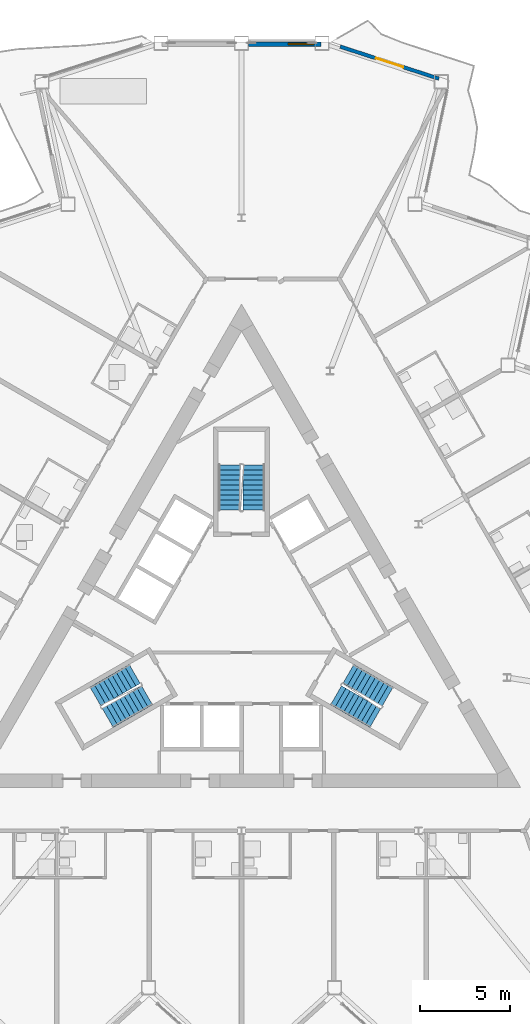
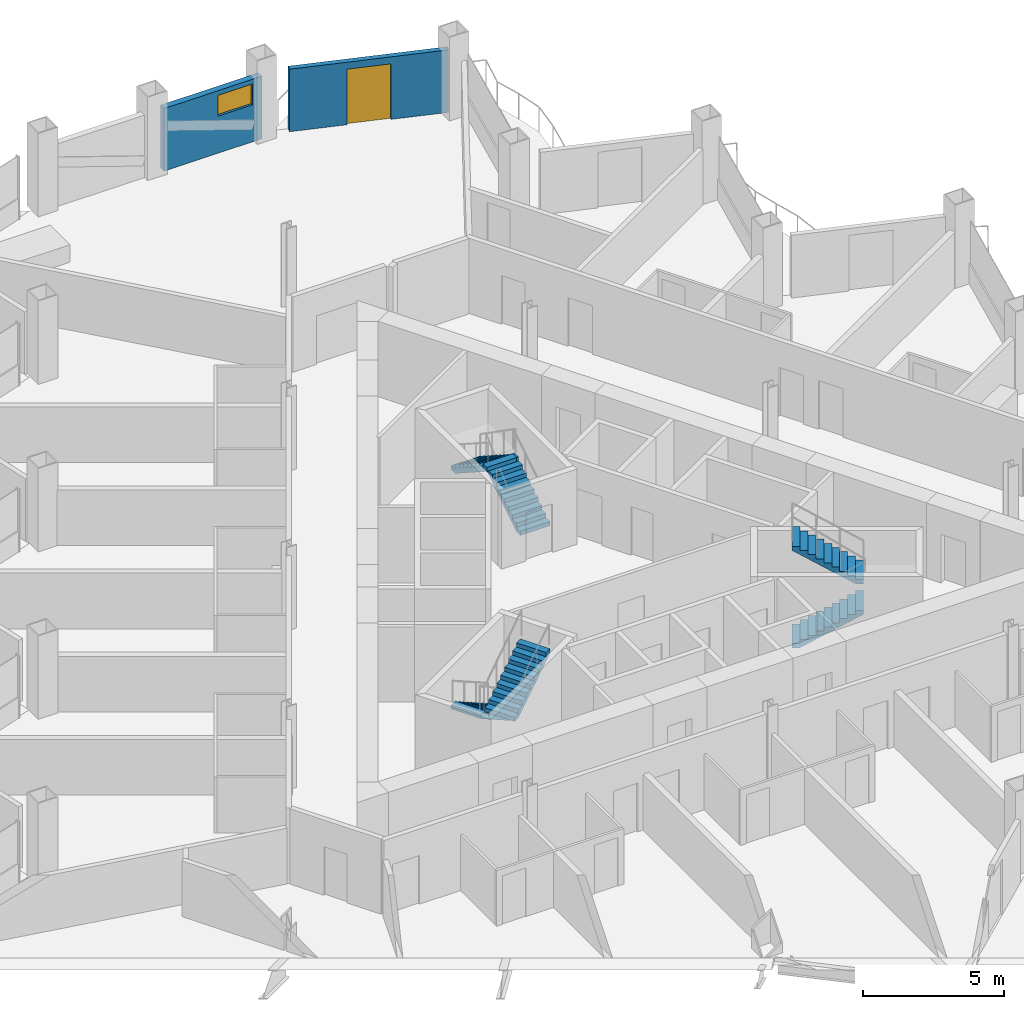
# One storey, part 15 of 23: 6 stair flights, 2 walls, 1 door, 1 window, 2 openings, 3 elements without a shape of their own.
"""IFC4 building model written with IfcOpenShell, lengths in metres."""

from ifc_helpers import new_model, si_unit, direction, frame, frame_2d, origin, place, context, subcontext, project, spatial, polyline, rectangle, outline, extrude, material, layer, layer_set, type_object, element, fill, aggregate, save


model = new_model("IFC4")

# Units and contexts
model_context = context("Model", 3, precision=1e-05, world=origin(), true_north=direction((0.0, 1.0)))
body_context = subcontext(model_context, "Body", "Model", "MODEL_VIEW")
ifc_project = project(units=[si_unit("LENGTHUNIT", "METRE"), si_unit("AREAUNIT", "SQUARE_METRE"), si_unit("VOLUMEUNIT", "CUBIC_METRE"), si_unit("PLANEANGLEUNIT", "RADIAN"), si_unit("MASSUNIT", "GRAM", prefix="KILO")], contexts=[model_context])

# Site, building, storey
site_placement = place(None, origin())
site = spatial("IfcSite", under=ifc_project, at=site_placement, CompositionType="ELEMENT")
building_placement = place(site_placement, origin())
building = spatial("IfcBuilding", under=site, at=building_placement, Name="Cormorant Prow Tower", CompositionType="ELEMENT")
storey_placement = place(building_placement, frame((0.0, 0.0, 180.0)))
storey = spatial("IfcBuildingStorey", under=building, at=storey_placement, Name="L38", CompositionType="ELEMENT", Elevation=180.0)

# Wall, opening, window
ifc_material_1 = material(Name="Terracotta", Category="masonry")
ifc_layer_1 = layer(ifc_material_1, 0.25)
ifc_layer_set_1 = layer_set([ifc_layer_1], Name="Terracotta")
wall_type_1 = type_object("IfcWallType", Name="Terracotta bay wall 250", PredefinedType="SOLIDWALL", material=ifc_layer_set_1)
wall_1_placement = place(storey_placement, frame((4.40380859375, 32.346923828125, 0.0), z_axis=(0.0, 0.0, 1.0), x_axis=(-1.0, 0.0, 0.0)))
wall_1 = element("IfcWall", 1, at=wall_1_placement, inside=storey, type_object=wall_type_1, Name="Terracotta bay wall N00", PredefinedType="SOLIDWALL", context=body_context, shape_type="SweptSolid", body=[
    extrude(rectangle(XDim=4.00390625, YDim=0.25, at=frame_2d((2.001953125, 0.0))), origin(), (0.0, 0.0, 1.0), 2.700927734375),
])
opening_1_placement = place(wall_1_placement, frame((0.39990234375, 0.0, 1.60009765625)))
opening_1 = element("IfcOpeningElement", 2, at=opening_1_placement, cuts=wall_1, Name="Opening WN5", PredefinedType="OPENING", context=body_context, shape_type="SweptSolid", body=[
    extrude(rectangle(XDim=1.39990234375, YDim=0.89990234375, at=frame_2d((0.699951171875, 0.449951171875))), frame((0.0, 0.135009765625, 0.0), z_axis=(0.0, -1.0, 0.0), x_axis=(1.0, 0.0, 0.0)), (0.0, 0.0, 1.0), 0.27001953125),
])
ifc_material_2 = material(Name="Aluminium 6063-T6", Category="aluminium")
window_type = type_object("IfcWindowType", Name="Corner bay window 1400x900", PartitioningType="SINGLE_PANEL", PredefinedType="WINDOW", material=ifc_material_2)
window_placement = place(opening_1_placement, origin())
window = element("IfcWindow", 3, at=window_placement, inside=storey, type_object=window_type, Name="Corner bay window N00", OverallHeight=0.89990234375, OverallWidth=1.39990234375, PartitioningType="SINGLE_PANEL", PredefinedType="WINDOW", context=body_context, shape_type="SweptSolid", body=[
    extrude(rectangle(XDim=1.39990234375, YDim=0.89990234375, at=frame_2d((0.699951171875, 0.449951171875))), frame((0.0, 0.030029296875, 0.0), z_axis=(0.0, -1.0, 0.0), x_axis=(1.0, 0.0, 0.0)), (0.0, 0.0, 1.0), 0.06005859375),
])
fill(opening_1, window)

# Wall, opening, door
ifc_material_3 = material(Name="Terracotta", Category="masonry")
ifc_layer_2 = layer(ifc_material_3, 0.199951171875)
ifc_layer_set_2 = layer_set([ifc_layer_2], Name="Terracotta")
wall_type_2 = type_object("IfcWallType", Name="Terracotta jamb wall 200", PredefinedType="SOLIDWALL", material=ifc_layer_set_2)
wall_2_placement = place(storey_placement, frame((10.962158203125, 30.42041015625, 0.0), z_axis=(0.0, 0.0, 1.0), x_axis=(-0.951062083689, 0.308999859173, 0.0)))
wall_2 = element("IfcWall", 4, at=wall_2_placement, inside=storey, type_object=wall_type_2, Name="Terracotta jamb wall ENE09", PredefinedType="SOLIDWALL", context=body_context, shape_type="SweptSolid", body=[
    extrude(rectangle(XDim=5.762939453125, YDim=0.199951171875, at=frame_2d((2.88134765625, 0.0))), origin(), (0.0, 0.0, 1.0), 2.700927734375),
])
opening_2_placement = place(wall_2_placement, frame((2.08154296875, 0.0, 0.0)))
opening_2 = element("IfcOpeningElement", 5, at=opening_2_placement, cuts=wall_2, Name="Opening ED38.10", PredefinedType="OPENING", context=body_context, shape_type="SweptSolid", body=[
    extrude(rectangle(XDim=1.60009765625, YDim=2.39990234375, at=frame_2d((0.800048828125, 1.199951171875))), frame((0.0, 0.10986328125, 0.0), z_axis=(0.0, -1.0, 0.0), x_axis=(1.0, 0.0, 0.0)), (0.0, 0.0, 1.0), 0.219970703125),
])
ifc_material_4 = material(Name="Aluminium 6063-T6", Category="aluminium")
door_type = type_object("IfcDoorType", Name="Balcony door 1600x2400", OperationType="DOUBLE_DOOR_SINGLE_SWING", PredefinedType="DOOR", material=ifc_material_4)
door_placement = place(opening_2_placement, origin())
door = element("IfcDoor", 6, at=door_placement, inside=storey, type_object=door_type, Name="Balcony door ENE09 ED38.10", OperationType="DOUBLE_DOOR_SINGLE_SWING", OverallHeight=2.39990234375, OverallWidth=1.60009765625, PredefinedType="DOOR", context=body_context, shape_type="SweptSolid", body=[
    extrude(rectangle(XDim=1.60009765625, YDim=2.39990234375, at=frame_2d((0.800048828125, 1.199951171875))), frame((0.0, 0.02490234375, 0.0), z_axis=(0.0, -1.0, 0.0), x_axis=(1.0, 0.0, 0.0)), (0.0, 0.0, 1.0), 0.050048828125),
])
fill(opening_2, door)

# Stair, stair flights
ifc_material_5 = material(Name="Exit stair 20 risers")
stair_type = type_object("IfcStairType", Name="Exit stair 20 risers", PredefinedType="HALF_TURN_STAIR", material=ifc_material_5)
stair_1_placement = place(storey_placement, origin())
stair_1 = element("IfcStair", 7, at=stair_1_placement, inside=storey, type_object=stair_type, Name="L38 Exit stair ST1", PredefinedType="HALF_TURN_STAIR")
ifc_material_6 = material(Name="Concrete 5000 psi", Category="concrete")
stair_flight_type = type_object("IfcStairFlightType", Name="Stair flight 1219", PredefinedType="STRAIGHT", material=ifc_material_6)
stair_flight_1_placement = place(storey_placement, frame((-5.93310546875, -2.635009765625, 0.0), z_axis=(0.0, 0.0, 1.0), x_axis=(-0.866025403784, -0.5, 0.0)))
stair_flight_1 = element("IfcStairFlight", 8, at=stair_flight_1_placement, type_object=stair_flight_type, Name="ST1 flight 1", NumberOfRisers=10, NumberOfTreads=9, PredefinedType="STRAIGHT", RiserHeight=0.18, TreadLength=0.28, context=body_context, shape_type="SweptSolid", body=[
    extrude(outline(polyline([(0.0, 0.0), (0.0, 0.179931640625), (0.280029296875, 0.179931640625), (0.280029296875, 0.360107421875), (0.56005859375, 0.360107421875), (0.56005859375, 0.5400390625), (0.840087890625, 0.5400390625), (0.840087890625, 0.719970703125), (1.1201171875, 0.719970703125), (1.1201171875, 0.89990234375), (1.39990234375, 0.89990234375), (1.39990234375, 1.080078125), (1.679931640625, 1.080078125), (1.679931640625, 1.260009765625), (1.9599609375, 1.260009765625), (1.9599609375, 1.43994140625), (2.239990234375, 1.43994140625), (2.239990234375, 1.6201171875), (2.52001953125, 1.6201171875), (2.52001953125, 1.800048828125), (2.52001953125, 1.44189453125), (0.277099609375, 0.0), (0.0, 0.0)])), frame((0.0, 0.609375, 0.0), z_axis=(0.0, -1.0, 0.0), x_axis=(1.0, 0.0, 0.0)), (0.0, 0.0, 1.0), 1.218994140625),
])
stair_flight_2_placement = place(storey_placement, frame((-7.43115234375, -5.080810546875, 1.800048828125), z_axis=(0.0, 0.0, 1.0), x_axis=(0.866025403784, 0.5, 0.0)))
stair_flight_2 = element("IfcStairFlight", 9, at=stair_flight_2_placement, type_object=stair_flight_type, Name="ST1 flight 2", NumberOfRisers=10, NumberOfTreads=9, PredefinedType="STRAIGHT", RiserHeight=0.18, TreadLength=0.28, context=body_context, shape_type="SweptSolid", body=[
    extrude(outline(polyline([(0.0, 0.0), (0.0, 0.179931640625), (0.280029296875, 0.179931640625), (0.280029296875, 0.360107421875), (0.56005859375, 0.360107421875), (0.56005859375, 0.5400390625), (0.840087890625, 0.5400390625), (0.840087890625, 0.719970703125), (1.1201171875, 0.719970703125), (1.1201171875, 0.89990234375), (1.39990234375, 0.89990234375), (1.39990234375, 1.080078125), (1.679931640625, 1.080078125), (1.679931640625, 1.260009765625), (1.9599609375, 1.260009765625), (1.9599609375, 1.43994140625), (2.239990234375, 1.43994140625), (2.239990234375, 1.6201171875), (2.52001953125, 1.6201171875), (2.52001953125, 1.800048828125), (2.52001953125, 1.44189453125), (0.277099609375, 0.0), (0.0, 0.0)])), frame((0.0, 0.609375, 0.0), z_axis=(0.0, -1.0, 0.0), x_axis=(1.0, 0.0, 0.0)), (0.0, 0.0, 1.0), 1.218994140625),
])
aggregate(stair_1, [stair_flight_1, stair_flight_2])

stair_2_placement = place(storey_placement, origin())
stair_2 = element("IfcStair", 10, at=stair_2_placement, inside=storey, type_object=stair_type, Name="L38 Exit stair ST2", PredefinedType="HALF_TURN_STAIR")
stair_flight_3_placement = place(storey_placement, frame((5.24853515625, -3.82080078125, 0.0), z_axis=(0.0, 0.0, 1.0), x_axis=(0.866025403784, -0.5, 0.0)))
stair_flight_3 = element("IfcStairFlight", 11, at=stair_flight_3_placement, type_object=stair_flight_type, Name="ST2 flight 1", NumberOfRisers=10, NumberOfTreads=9, PredefinedType="STRAIGHT", RiserHeight=0.18, TreadLength=0.28, context=body_context, shape_type="SweptSolid", body=[
    extrude(outline(polyline([(0.0, 0.0), (0.0, 0.179931640625), (0.280029296875, 0.179931640625), (0.280029296875, 0.360107421875), (0.56005859375, 0.360107421875), (0.56005859375, 0.5400390625), (0.840087890625, 0.5400390625), (0.840087890625, 0.719970703125), (1.1201171875, 0.719970703125), (1.1201171875, 0.89990234375), (1.39990234375, 0.89990234375), (1.39990234375, 1.080078125), (1.679931640625, 1.080078125), (1.679931640625, 1.260009765625), (1.9599609375, 1.260009765625), (1.9599609375, 1.43994140625), (2.239990234375, 1.43994140625), (2.239990234375, 1.6201171875), (2.52001953125, 1.6201171875), (2.52001953125, 1.800048828125), (2.52001953125, 1.44189453125), (0.277099609375, 0.0), (0.0, 0.0)])), frame((0.0, 0.609375, 0.0), z_axis=(0.0, -1.0, 0.0), x_axis=(1.0, 0.0, 0.0)), (0.0, 0.0, 1.0), 1.218994140625),
])
stair_flight_4_placement = place(storey_placement, frame((8.115478515625, -3.89501953125, 1.800048828125), z_axis=(0.0, 0.0, 1.0), x_axis=(-0.866025403784, 0.5, 0.0)))
stair_flight_4 = element("IfcStairFlight", 12, at=stair_flight_4_placement, type_object=stair_flight_type, Name="ST2 flight 2", NumberOfRisers=10, NumberOfTreads=9, PredefinedType="STRAIGHT", RiserHeight=0.18, TreadLength=0.28, context=body_context, shape_type="SweptSolid", body=[
    extrude(outline(polyline([(0.0, 0.0), (0.0, 0.179931640625), (0.280029296875, 0.179931640625), (0.280029296875, 0.360107421875), (0.56005859375, 0.360107421875), (0.56005859375, 0.5400390625), (0.840087890625, 0.5400390625), (0.840087890625, 0.719970703125), (1.1201171875, 0.719970703125), (1.1201171875, 0.89990234375), (1.39990234375, 0.89990234375), (1.39990234375, 1.080078125), (1.679931640625, 1.080078125), (1.679931640625, 1.260009765625), (1.9599609375, 1.260009765625), (1.9599609375, 1.43994140625), (2.239990234375, 1.43994140625), (2.239990234375, 1.6201171875), (2.52001953125, 1.6201171875), (2.52001953125, 1.800048828125), (2.52001953125, 1.44189453125), (0.277099609375, 0.0), (0.0, 0.0)])), frame((0.0, 0.609375, 0.0), z_axis=(0.0, -1.0, 0.0), x_axis=(1.0, 0.0, 0.0)), (0.0, 0.0, 1.0), 1.218994140625),
])
aggregate(stair_2, [stair_flight_3, stair_flight_4])

stair_3_placement = place(storey_placement, origin())
stair_3 = element("IfcStair", 13, at=stair_3_placement, inside=storey, type_object=stair_type, Name="L38 Exit stair ST3", PredefinedType="HALF_TURN_STAIR")
stair_flight_5_placement = place(storey_placement, frame((0.6845703125, 6.455810546875, 0.0), z_axis=(0.0, 0.0, 1.0), x_axis=(0.0, 1.0, 0.0)))
stair_flight_5 = element("IfcStairFlight", 14, at=stair_flight_5_placement, type_object=stair_flight_type, Name="ST3 flight 1", NumberOfRisers=10, NumberOfTreads=9, PredefinedType="STRAIGHT", RiserHeight=0.18, TreadLength=0.28, context=body_context, shape_type="SweptSolid", body=[
    extrude(outline(polyline([(0.0, 0.0), (0.0, 0.179931640625), (0.280029296875, 0.179931640625), (0.280029296875, 0.360107421875), (0.56005859375, 0.360107421875), (0.56005859375, 0.5400390625), (0.840087890625, 0.5400390625), (0.840087890625, 0.719970703125), (1.1201171875, 0.719970703125), (1.1201171875, 0.89990234375), (1.39990234375, 0.89990234375), (1.39990234375, 1.080078125), (1.679931640625, 1.080078125), (1.679931640625, 1.260009765625), (1.9599609375, 1.260009765625), (1.9599609375, 1.43994140625), (2.239990234375, 1.43994140625), (2.239990234375, 1.6201171875), (2.52001953125, 1.6201171875), (2.52001953125, 1.800048828125), (2.52001953125, 1.44189453125), (0.277099609375, 0.0), (0.0, 0.0)])), frame((0.0, 0.609375, 0.0), z_axis=(0.0, -1.0, 0.0), x_axis=(1.0, 0.0, 0.0)), (0.0, 0.0, 1.0), 1.218994140625),
])
stair_flight_6_placement = place(storey_placement, frame((-0.6845703125, 8.975830078125, 1.800048828125), z_axis=(0.0, 0.0, 1.0), x_axis=(0.0, -1.0, 0.0)))
stair_flight_6 = element("IfcStairFlight", 15, at=stair_flight_6_placement, type_object=stair_flight_type, Name="ST3 flight 2", NumberOfRisers=10, NumberOfTreads=9, PredefinedType="STRAIGHT", RiserHeight=0.18, TreadLength=0.28, context=body_context, shape_type="SweptSolid", body=[
    extrude(outline(polyline([(0.0, 0.0), (0.0, 0.179931640625), (0.280029296875, 0.179931640625), (0.280029296875, 0.360107421875), (0.56005859375, 0.360107421875), (0.56005859375, 0.5400390625), (0.840087890625, 0.5400390625), (0.840087890625, 0.719970703125), (1.1201171875, 0.719970703125), (1.1201171875, 0.89990234375), (1.39990234375, 0.89990234375), (1.39990234375, 1.080078125), (1.679931640625, 1.080078125), (1.679931640625, 1.260009765625), (1.9599609375, 1.260009765625), (1.9599609375, 1.43994140625), (2.239990234375, 1.43994140625), (2.239990234375, 1.6201171875), (2.52001953125, 1.6201171875), (2.52001953125, 1.800048828125), (2.52001953125, 1.44189453125), (0.277099609375, 0.0), (0.0, 0.0)])), frame((0.0, 0.609375, 0.0), z_axis=(0.0, -1.0, 0.0), x_axis=(1.0, 0.0, 0.0)), (0.0, 0.0, 1.0), 1.218994140625),
])
aggregate(stair_3, [stair_flight_5, stair_flight_6])

save(model, "model.ifc")
